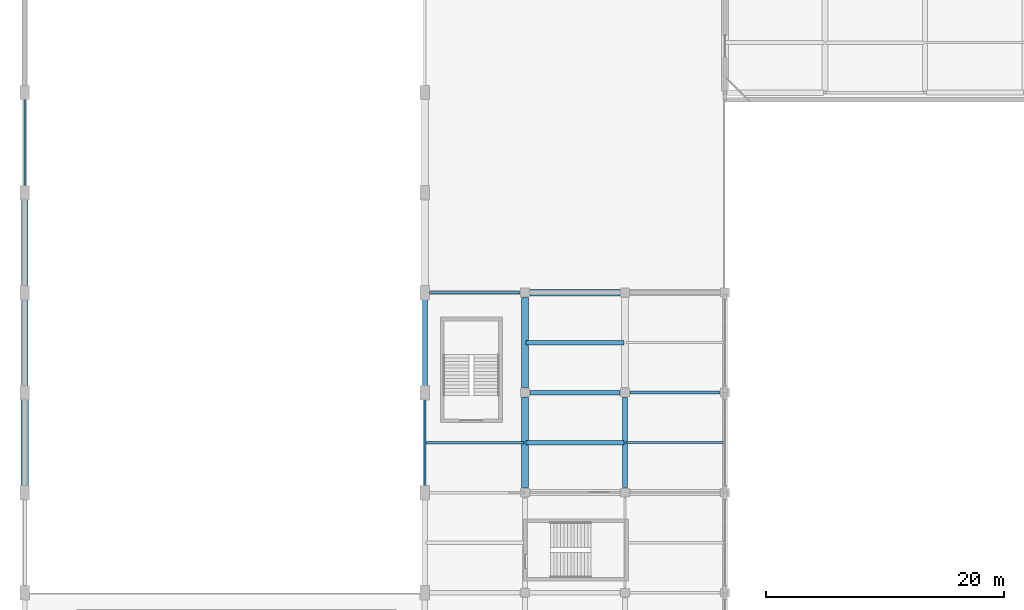
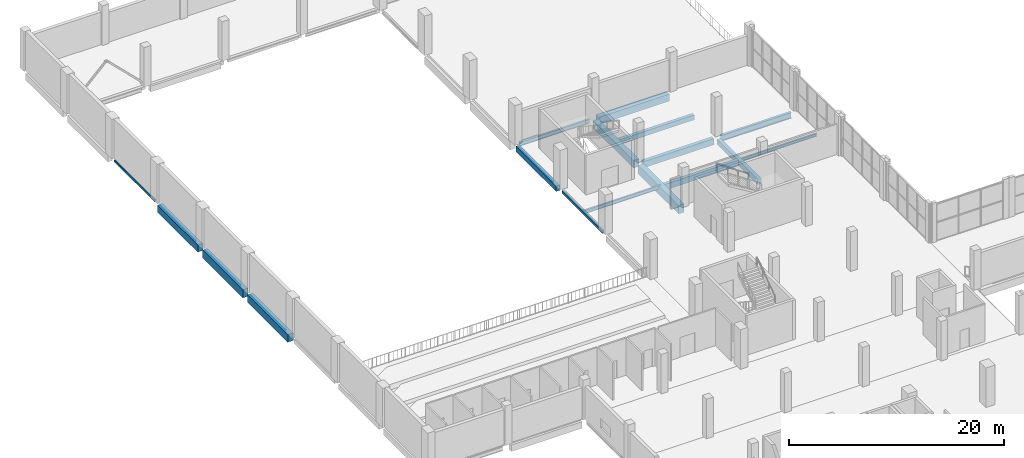
# One storey, part 33 of 75: 17 beams.
"""IFC4 building model written with IfcOpenShell, lengths in metres."""

from ifc_helpers import new_model, si_unit, derived_unit, direction, frame, origin, origin_2d, place, context, subcontext, project, spatial, rectangle, hollow_rectangle, i_section, extrude, material, material_profile, profile_set, type_object, element, save


model = new_model("IFC4")

# Units and contexts
model_context = context("Model", 3, precision=1e-05, world=origin(), true_north=direction((0.0, 1.0)))
body_context = subcontext(model_context, "Body", "Model", "MODEL_VIEW")
ifc_project = project(units=[si_unit("LENGTHUNIT", "METRE"), si_unit("AREAUNIT", "SQUARE_METRE"), si_unit("VOLUMEUNIT", "CUBIC_METRE"), si_unit("PLANEANGLEUNIT", "RADIAN"), si_unit("MASSUNIT", "GRAM", prefix="KILO"), derived_unit("THERMALTRANSMITTANCEUNIT", [(si_unit("POWERUNIT", "WATT"), 1), (si_unit("LENGTHUNIT", "METRE"), -2), (si_unit("THERMODYNAMICTEMPERATUREUNIT", "KELVIN"), -1)])], contexts=[model_context])

# Site, building, storey
site_placement = place(None, origin())
site = spatial("IfcSite", under=ifc_project, at=site_placement, CompositionType="ELEMENT")
building_placement = place(site_placement, origin())
building = spatial("IfcBuilding", under=site, at=building_placement, Name="Barrovel Congress Hotel", CompositionType="ELEMENT")
storey_placement = place(building_placement, frame((0.0, 0.0, 5.39990234375)))
storey = spatial("IfcBuildingStorey", under=building, at=storey_placement, Name="L01", CompositionType="ELEMENT", Elevation=5.39990234375)

# Beams
ifc_material_1 = material(Name="Concrete C40", Category="concrete")
ifc_material_profile_1 = material_profile(ifc_material_1, rectangle(XDim=0.35009765625, YDim=0.550048828125, at=origin_2d()), Name="RC350x550")
ifc_profile_set_1 = profile_set([ifc_material_profile_1], Name="Concrete C40")
beam_type_1 = type_object("IfcBeamType", Name="BM-RC350x550", PredefinedType="JOIST", material=ifc_profile_set_1)
beam_1_placement = place(storey_placement, frame((42.080078125, 75.60009765625, -0.534912109375), z_axis=(1.0, 0.0, 0.0), x_axis=(0.0, 1.0, 0.0)))
element("IfcBeam", 1, at=beam_1_placement, inside=storey, type_object=beam_type_1, Name="JST:L01:42.0:75.6", PredefinedType="JOIST", context=body_context, shape_type="SweptSolid", body=[
    extrude(rectangle(XDim=0.35009765625, YDim=0.550048828125, at=origin_2d()), origin(), (0.0, 0.0, 1.0), 8.239990234375),
])
ifc_material_profile_2 = material_profile(ifc_material_1, rectangle(XDim=0.35009765625, YDim=0.64990234375, at=origin_2d()), Name="RC350x650")
ifc_profile_set_2 = profile_set([ifc_material_profile_2], Name="Concrete C40")
beam_type_2 = type_object("IfcBeamType", Name="BM-RC350x650", PredefinedType="JOIST", material=ifc_profile_set_2)
beam_2_placement = place(storey_placement, frame((42.080078125, 67.199951171875, -0.5849609375), z_axis=(1.0, 0.0, 0.0), x_axis=(0.0, 1.0, 0.0)))
element("IfcBeam", 2, at=beam_2_placement, inside=storey, type_object=beam_type_2, Name="JST:L01:42.0:67.2", PredefinedType="JOIST", context=body_context, shape_type="SweptSolid", body=[
    extrude(rectangle(XDim=0.35009765625, YDim=0.64990234375, at=origin_2d()), origin(), (0.0, 0.0, 1.0), 8.239990234375),
])
ifc_material_profile_3 = material_profile(ifc_material_1, rectangle(XDim=0.39990234375, YDim=0.60009765625, at=origin_2d()), Name="RC400x600")
ifc_profile_set_3 = profile_set([ifc_material_profile_3], Name="Concrete C40")
beam_type_3 = type_object("IfcBeamType", Name="BM-RC400x600", PredefinedType="BEAM", material=ifc_profile_set_3)
beam_3_placement = place(storey_placement, frame((33.60009765625, 71.85009765625, -0.559814453125), z_axis=(0.0, 1.0, 0.0), x_axis=(-1.0, 0.0, 0.0)))
element("IfcBeam", 3, at=beam_3_placement, inside=storey, type_object=beam_type_3, Name="BMY:L01:33.6:71.4-79.8", PredefinedType="BEAM", context=body_context, shape_type="SweptSolid", body=[
    extrude(rectangle(XDim=0.39990234375, YDim=0.60009765625, at=origin_2d()), origin(), (0.0, 0.0, 1.0), 7.5),
])
beam_4_placement = place(storey_placement, frame((50.39990234375, 63.425048828125, -0.559814453125), z_axis=(0.0, 1.0, 0.0), x_axis=(-1.0, 0.0, 0.0)))
element("IfcBeam", 4, at=beam_4_placement, inside=storey, type_object=beam_type_3, Name="BMY:L01:50.4:63.0-71.4", PredefinedType="BEAM", context=body_context, shape_type="SweptSolid", body=[
    extrude(rectangle(XDim=0.39990234375, YDim=0.60009765625, at=origin_2d()), origin(), (0.0, 0.0, 1.0), 7.550048828125),
])
ifc_material_profile_4 = material_profile(ifc_material_1, rectangle(XDim=0.39990234375, YDim=0.699951171875, at=origin_2d()), Name="RC400x700")
ifc_profile_set_4 = profile_set([ifc_material_profile_4], Name="Concrete C40")
beam_type_4 = type_object("IfcBeamType", Name="BM-RC400x700", PredefinedType="BEAM", material=ifc_profile_set_4)
beam_5_placement = place(storey_placement, frame((42.425048828125, 71.39990234375, -0.60986328125), z_axis=(1.0, 0.0, 0.0), x_axis=(0.0, 1.0, 0.0)))
element("IfcBeam", 5, at=beam_5_placement, inside=storey, type_object=beam_type_4, Name="BMX:L01:71.4:42.0-50.4", PredefinedType="BEAM", context=body_context, shape_type="SweptSolid", body=[
    extrude(rectangle(XDim=0.39990234375, YDim=0.699951171875, at=origin_2d()), origin(), (0.0, 0.0, 1.0), 7.550048828125),
])
ifc_material_profile_5 = material_profile(ifc_material_1, rectangle(XDim=0.550048828125, YDim=0.800048828125, at=origin_2d()), Name="RC550x800")
ifc_profile_set_5 = profile_set([ifc_material_profile_5], Name="Concrete C40")
beam_type_5 = type_object("IfcBeamType", Name="BM-RC550x800", PredefinedType="BEAM", material=ifc_profile_set_5)
beam_6_placement = place(storey_placement, frame((42.425048828125, 79.800048828125, -0.659912109375), z_axis=(1.0, 0.0, 0.0), x_axis=(0.0, 1.0, 0.0)))
element("IfcBeam", 6, at=beam_6_placement, inside=storey, type_object=beam_type_5, Name="BMX:L01:79.8:42.0-50.4", PredefinedType="BEAM", context=body_context, shape_type="SweptSolid", body=[
    extrude(rectangle(XDim=0.550048828125, YDim=0.800048828125, at=origin_2d()), origin(), (0.0, 0.0, 1.0), 7.574951171875),
])
beam_7_placement = place(storey_placement, frame((0.0, 80.25, -0.659912109375), z_axis=(0.0, 1.0, 0.0), x_axis=(-1.0, 0.0, 0.0)))
element("IfcBeam", 7, at=beam_7_placement, inside=storey, type_object=beam_type_5, Name="BMY:L01:0.0:79.8-88.2", PredefinedType="BEAM", context=body_context, shape_type="SweptSolid", body=[
    extrude(rectangle(XDim=0.550048828125, YDim=0.800048828125, at=origin_2d()), origin(), (0.0, 0.0, 1.0), 7.5),
])
ifc_material_profile_6 = material_profile(ifc_material_1, rectangle(XDim=0.550048828125, YDim=0.89990234375, at=origin_2d()), Name="RC550x900")
ifc_profile_set_6 = profile_set([ifc_material_profile_6], Name="Concrete C40")
beam_type_6 = type_object("IfcBeamType", Name="BM-RC550x900", PredefinedType="BEAM", material=ifc_profile_set_6)
beam_8_placement = place(storey_placement, frame((0.0, 71.85009765625, -0.7099609375), z_axis=(0.0, 1.0, 0.0), x_axis=(-1.0, 0.0, 0.0)))
element("IfcBeam", 8, at=beam_8_placement, inside=storey, type_object=beam_type_6, Name="BMY:L01:0.0:71.4-79.8", PredefinedType="BEAM", context=body_context, shape_type="SweptSolid", body=[
    extrude(rectangle(XDim=0.550048828125, YDim=0.89990234375, at=origin_2d()), origin(), (0.0, 0.0, 1.0), 7.5),
])
ifc_material_profile_7 = material_profile(ifc_material_1, rectangle(XDim=0.60009765625, YDim=0.85009765625, at=origin_2d()), Name="RC600x850")
ifc_profile_set_7 = profile_set([ifc_material_profile_7], Name="Concrete C40")
beam_type_7 = type_object("IfcBeamType", Name="BM-RC600x850", PredefinedType="BEAM", material=ifc_profile_set_7)
beam_9_placement = place(storey_placement, frame((0.0, 63.449951171875, -0.684814453125), z_axis=(0.0, 1.0, 0.0), x_axis=(-1.0, 0.0, 0.0)))
element("IfcBeam", 9, at=beam_9_placement, inside=storey, type_object=beam_type_7, Name="BMY:L01:0.0:63.0-71.4", PredefinedType="BEAM", context=body_context, shape_type="SweptSolid", body=[
    extrude(rectangle(XDim=0.60009765625, YDim=0.85009765625, at=origin_2d()), origin(), (0.0, 0.0, 1.0), 7.5),
])
beam_10_placement = place(storey_placement, frame((42.0, 71.824951171875, -0.684814453125), z_axis=(0.0, 1.0, 0.0), x_axis=(-1.0, 0.0, 0.0)))
element("IfcBeam", 10, at=beam_10_placement, inside=storey, type_object=beam_type_7, Name="BMY:L01:42.0:71.4-79.8", PredefinedType="BEAM", context=body_context, shape_type="SweptSolid", body=[
    extrude(rectangle(XDim=0.60009765625, YDim=0.85009765625, at=origin_2d()), origin(), (0.0, 0.0, 1.0), 7.550048828125),
])
ifc_material_profile_8 = material_profile(ifc_material_1, rectangle(XDim=0.60009765625, YDim=0.949951171875, at=origin_2d()), Name="RC600x950")
ifc_profile_set_8 = profile_set([ifc_material_profile_8], Name="Concrete C40")
beam_type_8 = type_object("IfcBeamType", Name="BM-RC600x950", PredefinedType="BEAM", material=ifc_profile_set_8)
beam_11_placement = place(storey_placement, frame((42.0, 63.425048828125, -0.73486328125), z_axis=(0.0, 1.0, 0.0), x_axis=(-1.0, 0.0, 0.0)))
element("IfcBeam", 11, at=beam_11_placement, inside=storey, type_object=beam_type_8, Name="BMY:L01:42.0:63.0-71.4", PredefinedType="BEAM", context=body_context, shape_type="SweptSolid", body=[
    extrude(rectangle(XDim=0.60009765625, YDim=0.949951171875, at=origin_2d()), origin(), (0.0, 0.0, 1.0), 7.550048828125),
])
ifc_material_2 = material(Name="Steel ASTM A500 Grade C", Category="steel")
ifc_material_profile_9 = material_profile(ifc_material_2, hollow_rectangle(XDim=0.15234375, YDim=0.25390625, WallThickness=0.0087890625, InnerFilletRadius=0.0087890625, OuterFilletRadius=0.017578125, at=origin_2d()), Name="HSS254x152x9.5")
ifc_profile_set_9 = profile_set([ifc_material_profile_9], Name="Steel ASTM A500 Grade C")
beam_type_9 = type_object("IfcBeamType", Name="SBM-HSS254x152x9.5", PredefinedType="SPANDREL", material=ifc_profile_set_9)
beam_12_placement = place(storey_placement, frame((0.0, 88.64990234375, -0.386962890625), z_axis=(0.0, 1.0, 0.0), x_axis=(-1.0, 0.0, 0.0)))
element("IfcBeam", 12, at=beam_12_placement, inside=storey, type_object=beam_type_9, Name="BMY:L01:0.0:88.2-96.6", PredefinedType="SPANDREL", context=body_context, shape_type="SweptSolid", body=[
    extrude(hollow_rectangle(XDim=0.15234375, YDim=0.25390625, WallThickness=0.0087890625, InnerFilletRadius=0.0087890625, OuterFilletRadius=0.017578125, at=origin_2d()), origin(), (0.0, 0.0, 1.0), 7.5),
])
ifc_material_profile_10 = material_profile(ifc_material_2, hollow_rectangle(XDim=0.203125, YDim=0.3046875, WallThickness=0.01171875, InnerFilletRadius=0.01171875, OuterFilletRadius=0.023681640625, at=origin_2d()), Name="HSS305x203x12.7")
ifc_profile_set_10 = profile_set([ifc_material_profile_10], Name="Steel ASTM A500 Grade C")
beam_type_10 = type_object("IfcBeamType", Name="SBM-HSS305x203x12.7", PredefinedType="SPANDREL", material=ifc_profile_set_10)
beam_13_placement = place(storey_placement, frame((33.60009765625, 63.449951171875, -0.412353515625), z_axis=(0.0, 1.0, 0.0), x_axis=(-1.0, 0.0, 0.0)))
element("IfcBeam", 13, at=beam_13_placement, inside=storey, type_object=beam_type_10, Name="BMY:L01:33.6:63.0-71.4", PredefinedType="SPANDREL", context=body_context, shape_type="SweptSolid", body=[
    extrude(hollow_rectangle(XDim=0.203125, YDim=0.3046875, WallThickness=0.01171875, InnerFilletRadius=0.01171875, OuterFilletRadius=0.023681640625, at=origin_2d()), origin(), (0.0, 0.0, 1.0), 7.5),
])
ifc_material_3 = material(Name="Steel ASTM A992 Grade 50", Category="steel")
ifc_material_profile_11 = material_profile(ifc_material_3, i_section(OverallWidth=0.1669921875, OverallDepth=0.31689453125, WebThickness=0.007568359375, FlangeThickness=0.01318359375, FilletRadius=0.010986328125, at=origin_2d()), Name="W310x52")
ifc_profile_set_11 = profile_set([ifc_material_profile_11], Name="Steel ASTM A992 Grade 50")
beam_type_11 = type_object("IfcBeamType", Name="SBM-W310x52", PredefinedType="JOIST", material=ifc_profile_set_11)
beam_14_placement = place(storey_placement, frame((50.47998046875, 67.199951171875, -0.41845703125), z_axis=(1.0, 0.0, 0.0), x_axis=(0.0, 1.0, 0.0)))
element("IfcBeam", 14, at=beam_14_placement, inside=storey, type_object=beam_type_11, Name="JST:L01:50.4:67.2", PredefinedType="JOIST", context=body_context, shape_type="SweptSolid", body=[
    extrude(i_section(OverallWidth=0.1669921875, OverallDepth=0.31689453125, WebThickness=0.007568359375, FlangeThickness=0.01318359375, FilletRadius=0.010986328125, at=origin_2d()), origin(), (0.0, 0.0, 1.0), 8.239990234375),
])
ifc_material_profile_12 = material_profile(ifc_material_3, i_section(OverallWidth=0.177001953125, OverallDepth=0.403076171875, WebThickness=0.007568359375, FlangeThickness=0.010986328125, FilletRadius=0.011962890625, at=origin_2d()), Name="W410x53")
ifc_profile_set_12 = profile_set([ifc_material_profile_12], Name="Steel ASTM A992 Grade 50")
beam_type_12 = type_object("IfcBeamType", Name="SBM-W410x53", PredefinedType="JOIST", material=ifc_profile_set_12)
beam_15_placement = place(storey_placement, frame((33.679931640625, 67.199951171875, -0.46142578125), z_axis=(1.0, 0.0, 0.0), x_axis=(0.0, 1.0, 0.0)))
element("IfcBeam", 15, at=beam_15_placement, inside=storey, type_object=beam_type_12, Name="JST:L01:33.6:67.2", PredefinedType="JOIST", context=body_context, shape_type="SweptSolid", body=[
    extrude(i_section(OverallWidth=0.177001953125, OverallDepth=0.403076171875, WebThickness=0.007568359375, FlangeThickness=0.010986328125, FilletRadius=0.011962890625, at=origin_2d()), origin(), (0.0, 0.0, 1.0), 8.239990234375),
])
ifc_material_profile_13 = material_profile(ifc_material_3, i_section(OverallWidth=0.19091796875, OverallDepth=0.4599609375, WebThickness=0.010009765625, FlangeThickness=0.01611328125, FilletRadius=0.012939453125, at=origin_2d()), Name="W460x82")
ifc_profile_set_13 = profile_set([ifc_material_profile_13], Name="Steel ASTM A992 Grade 50")
beam_type_13 = type_object("IfcBeamType", Name="SBM-W460x82", PredefinedType="BEAM", material=ifc_profile_set_13)
beam_16_placement = place(storey_placement, frame((34.0, 79.800048828125, -0.489990234375), z_axis=(1.0, 0.0, 0.0), x_axis=(0.0, 1.0, 0.0)))
element("IfcBeam", 16, at=beam_16_placement, inside=storey, type_object=beam_type_13, Name="BMX:L01:79.8:33.6-42.0", PredefinedType="BEAM", context=body_context, shape_type="SweptSolid", body=[
    extrude(i_section(OverallWidth=0.19091796875, OverallDepth=0.4599609375, WebThickness=0.010009765625, FlangeThickness=0.01611328125, FilletRadius=0.012939453125, at=origin_2d()), origin(), (0.0, 0.0, 1.0), 7.574951171875),
])
ifc_material_profile_14 = material_profile(ifc_material_3, i_section(OverallWidth=0.25390625, OverallDepth=0.68408203125, WebThickness=0.012451171875, FlangeThickness=0.01904296875, FilletRadius=0.014892578125, at=origin_2d()), Name="W690x140")
ifc_profile_set_14 = profile_set([ifc_material_profile_14], Name="Steel ASTM A992 Grade 50")
beam_type_14 = type_object("IfcBeamType", Name="SBM-W690x140", PredefinedType="BEAM", material=ifc_profile_set_14)
beam_17_placement = place(storey_placement, frame((50.824951171875, 71.39990234375, -0.601806640625), z_axis=(1.0, 0.0, 0.0), x_axis=(0.0, 1.0, 0.0)))
element("IfcBeam", 17, at=beam_17_placement, inside=storey, type_object=beam_type_14, Name="BMX:L01:71.4:50.4-58.8", PredefinedType="BEAM", context=body_context, shape_type="SweptSolid", body=[
    extrude(i_section(OverallWidth=0.25390625, OverallDepth=0.68408203125, WebThickness=0.012451171875, FlangeThickness=0.01904296875, FilletRadius=0.014892578125, at=origin_2d()), origin(), (0.0, 0.0, 1.0), 7.574951171875),
])

save(model, "model.ifc")
